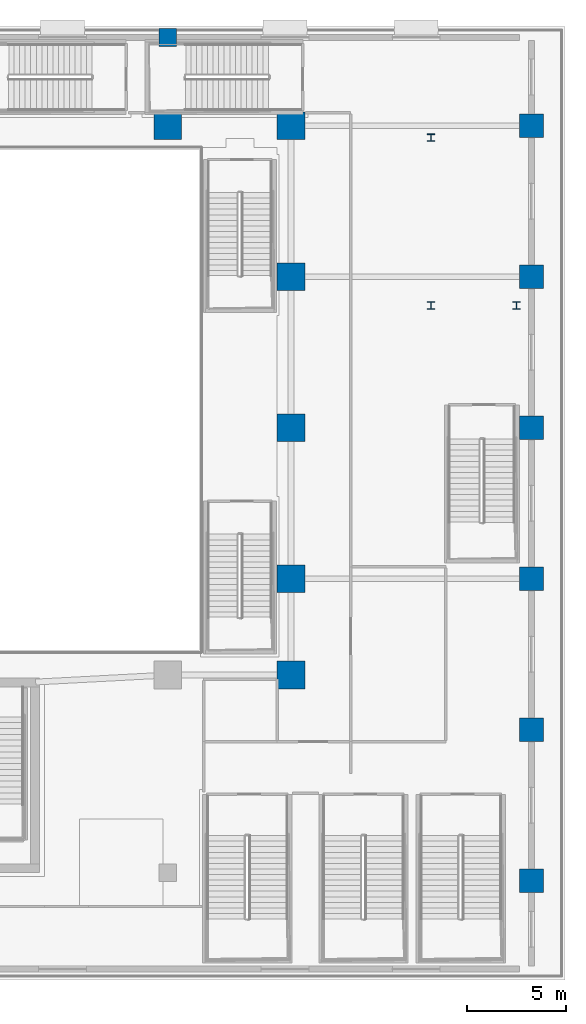
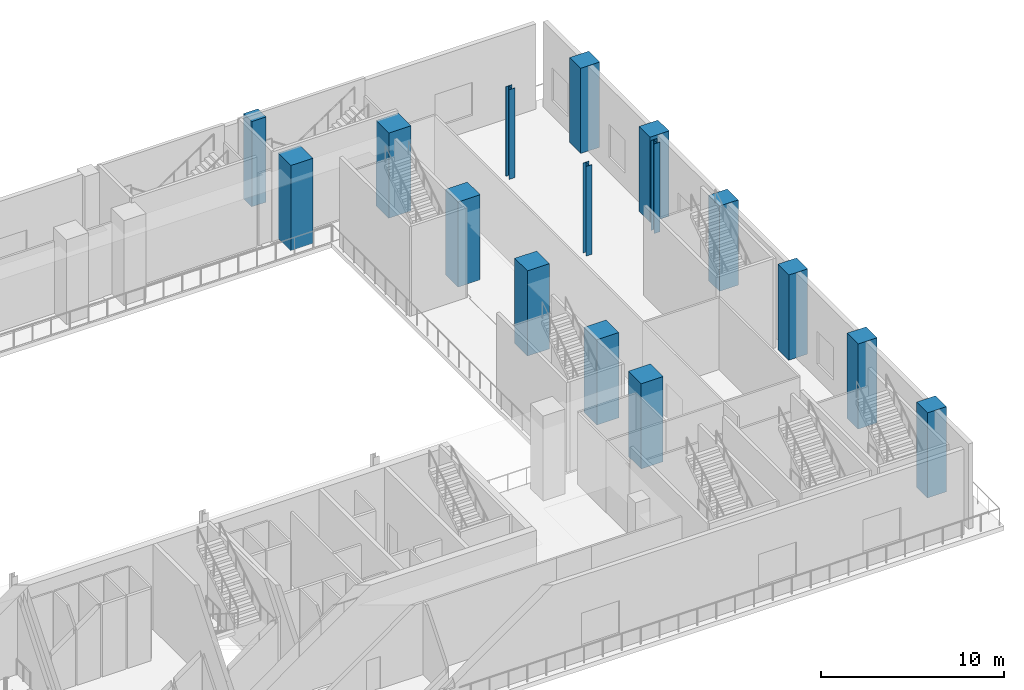
# One storey, part 4 of 29: 16 columns.
"""IFC4 building model written with IfcOpenShell, lengths in metres."""

import ifcopenshell
import ifcopenshell.guid

model = None  # the IFC model being written
_history = None  # IfcOwnerHistory: only IFC2X3 demands one
_inside = {}  # id of a spatial element -> (the spatial element, [elements in it])
_under = {}  # id of a project, library or spatial element -> (it, [spatial elements below it])
_declared = {}  # id of a project -> (the project, [libraries it declares])
_typed = {}  # id of a type object -> (the type object, [elements of that type])
_made_of = {}  # id of a material, layer set ... -> (it, [elements and type objects made of it])


def new_model(schema):
    """Start an empty IFC model of exactly this schema.

    Asked for "IFC4X3", IfcOpenShell would pick the latest addendum, in which some entities
    have other attributes; the version numbers below select the first issue.
    IFC2X3 requires an IfcOwnerHistory on every rooted entity: one is made here for all.
    """
    global model, _history
    if schema == "IFC4X3":
        model = ifcopenshell.file(schema_version=(4, 3, 0, 0))
    else:
        model = ifcopenshell.file(schema=schema)
    _inside.clear()
    _under.clear()
    _declared.clear()
    _typed.clear()
    _made_of.clear()
    _history = None
    if model.schema == "IFC2X3":
        org = make("IfcOrganization", Name="unknown")
        user = make(
            "IfcPersonAndOrganization",
            ThePerson=make("IfcPerson", FamilyName="unknown"),
            TheOrganization=org,
        )
        app = make(
            "IfcApplication",
            ApplicationDeveloper=org,
            Version="unknown",
            ApplicationFullName="unknown",
            ApplicationIdentifier="unknown",
        )
        _history = make(
            "IfcOwnerHistory",
            OwningUser=user,
            OwningApplication=app,
            ChangeAction="ADDED",
            CreationDate=0,
        )
    return model


def make(cls, **values):
    """One entity of the class cls with the attributes given. An attribute that is None is left unset."""
    return model.create_entity(
        cls, **{name: value for name, value in values.items() if value is not None}
    )


def rooted(cls, **values):
    """An entity with a GlobalId (a new one), such as an element, a storey or a relation."""
    return make(cls, GlobalId=ifcopenshell.guid.new(), OwnerHistory=_history, **values)


def si_unit(unit_type, name, prefix=None):
    """IfcSIUnit, for example si_unit("LENGTHUNIT", "METRE", prefix="MILLI")."""
    return make("IfcSIUnit", UnitType=unit_type, Prefix=prefix, Name=name)


def assignment(units):
    """IfcUnitAssignment: the units of a project."""
    return None if units is None else make("IfcUnitAssignment", Units=units)


def point(xyz):
    """IfcCartesianPoint."""
    return None if xyz is None else make("IfcCartesianPoint", Coordinates=xyz)


def direction(xyz):
    """IfcDirection."""
    return None if xyz is None else make("IfcDirection", DirectionRatios=xyz)


def frame(location, z_axis=None, x_axis=None):
    """IfcAxis2Placement3D, a coordinate frame: its origin and axes. An axis left out is left unset."""
    return make(
        "IfcAxis2Placement3D",
        Location=point(location),
        Axis=direction(z_axis),
        RefDirection=direction(x_axis),
    )


def frame_2d(location, x_axis=None):
    """IfcAxis2Placement2D, a coordinate frame in the plane: its origin and x axis."""
    return make(
        "IfcAxis2Placement2D", Location=point(location), RefDirection=direction(x_axis)
    )


def origin():
    """The frame at (0, 0, 0) with its axes left unset."""
    return frame((0.0, 0.0, 0.0))


def origin_2d():
    """The frame at (0, 0) in the plane with its x axis left unset."""
    return frame_2d((0.0, 0.0))


def place(relative_to, where):
    """IfcLocalPlacement: puts the frame where relative to a parent placement (None: the world)."""
    return make(
        "IfcLocalPlacement", PlacementRelTo=relative_to, RelativePlacement=where
    )


def context(
    kind, dimensions, precision=None, world=None, true_north=None, identifier=None
):
    """IfcGeometricRepresentationContext, for example the 3D "Model" context."""
    return make(
        "IfcGeometricRepresentationContext",
        ContextIdentifier=identifier,
        ContextType=kind,
        CoordinateSpaceDimension=dimensions,
        Precision=precision,
        WorldCoordinateSystem=world,
        TrueNorth=true_north,
    )


def subcontext(parent, identifier, kind, view, scale=None):
    """IfcGeometricRepresentationSubContext, for example "Body" below "Model"."""
    return make(
        "IfcGeometricRepresentationSubContext",
        ContextIdentifier=identifier,
        ContextType=kind,
        ParentContext=parent,
        TargetScale=scale,
        TargetView=view,
    )


def project(units=None, contexts=None):
    """IfcProject with its units and contexts."""
    return rooted(
        "IfcProject",
        Name="project",
        RepresentationContexts=contexts,
        UnitsInContext=assignment(units),
    )


def spatial(cls, under=None, at=None, **own):
    """A site, building, storey or space (cls), placed at a placement, below another one or the project."""
    s = rooted(cls, ObjectPlacement=at, **own)
    if under is not None:
        _under.setdefault(under.id(), (under, []))[1].append(s)
    return s


def profile(cls, at=None, kind="AREA", **sizes):
    """A parametric profile (cls). Its sizes go by their IFC names, for example OverallWidth=200.0."""
    return make(cls, ProfileType=kind, Position=at, **sizes)


def rectangle(**sizes):
    """IfcRectangleProfileDef."""
    return profile("IfcRectangleProfileDef", **sizes)


def i_section(**sizes):
    """IfcIShapeProfileDef."""
    return profile("IfcIShapeProfileDef", **sizes)


def extrude(swept, where, along, depth):
    """IfcExtrudedAreaSolid: the profile swept, set in the frame where, extruded along a direction by depth."""
    return make(
        "IfcExtrudedAreaSolid",
        SweptArea=swept,
        Position=where,
        ExtrudedDirection=direction(along),
        Depth=depth,
    )


def shape(context_of_items, identifier, shape_type, items):
    """IfcShapeRepresentation: the items that make up one representation, for example the "Body"."""
    return make(
        "IfcShapeRepresentation",
        ContextOfItems=context_of_items,
        RepresentationIdentifier=identifier,
        RepresentationType=shape_type,
        Items=items,
    )


def material(Name=None, Category=None):
    """IfcMaterial."""
    return make("IfcMaterial", Name=Name, Category=Category)


def material_profile(
    of_material, cross_section, Name=None, Category=None, Priority=None
):
    """IfcMaterialProfile: a cross section and its material."""
    return make(
        "IfcMaterialProfile",
        Name=Name,
        Material=of_material,
        Profile=cross_section,
        Priority=Priority,
        Category=Category,
    )


def profile_set(profiles, Name=None, composite=None):
    """IfcMaterialProfileSet."""
    return make(
        "IfcMaterialProfileSet",
        Name=Name,
        MaterialProfiles=profiles,
        CompositeProfile=composite,
    )


def made_of(thing, what):
    """Note that an element or type object is made of a material, layer set ...; save() writes the relation."""
    if what is not None:
        _made_of.setdefault(what.id(), (what, []))[1].append(thing)
    return thing


def type_object(cls, material=None, **own):
    """A type object (cls), such as IfcWallType, which elements share."""
    return made_of(rooted(cls, **own), material)


def element(
    cls,
    number,
    at=None,
    inside=None,
    cuts=None,
    type_object=None,
    material=None,
    context=None,
    identifier="Body",
    shape_type=None,
    held_by="IfcProductDefinitionShape",
    body=None,
    shapes=None,
    **own,
):
    """One element of the class cls, such as IfcWall. Its Tag is "e" and its number.

    at: its placement. inside: the storey or other place that contains it. cuts: it is an
    opening in that element (IfcRelVoidsElement). A single representation is given by context,
    identifier, shape_type and body (its items); several are given by shapes. held_by: the class
    of the entity that holds the representations. save() writes the other relations.
    """
    e = rooted(cls, Tag="e%d" % number, ObjectPlacement=at, **own)
    if body is not None:
        shapes = [shape(context, identifier, shape_type, body)]
    if shapes is not None:
        e.Representation = make(held_by, Representations=shapes)
    if inside is not None:
        _inside.setdefault(inside.id(), (inside, []))[1].append(e)
    if cuts is not None:
        rooted(
            "IfcRelVoidsElement", RelatingBuildingElement=cuts, RelatedOpeningElement=e
        )
    if type_object is not None:
        _typed.setdefault(type_object.id(), (type_object, []))[1].append(e)
    return made_of(e, material)


def aggregate(whole, parts):
    """IfcRelAggregates: a whole, such as a stair, and the parts it consists of."""
    return rooted("IfcRelAggregates", RelatingObject=whole, RelatedObjects=parts)


def save(model, path):
    """Write the relations noted so far, then the file.

    IfcRelAggregates (storeys below a building ...), IfcRelContainedInSpatialStructure (elements
    in a storey), IfcRelDefinesByType, IfcRelAssociatesMaterial and IfcRelDeclares: one each for
    every whole, place, type object, material and project.
    """
    for whole, parts in _under.values():
        aggregate(whole, parts)
    for where, things in _inside.values():
        rooted(
            "IfcRelContainedInSpatialStructure",
            RelatedElements=things,
            RelatingStructure=where,
        )
    for kind, things in _typed.values():
        rooted("IfcRelDefinesByType", RelatedObjects=things, RelatingType=kind)
    for what, things in _made_of.values():
        rooted("IfcRelAssociatesMaterial", RelatedObjects=things, RelatingMaterial=what)
    for by, libraries in _declared.values():
        rooted("IfcRelDeclares", RelatingContext=by, RelatedDefinitions=libraries)
    model.write(path)


model = new_model("IFC4")

# Units and contexts
model_context = context("Model", 3, precision=1e-05, world=origin(), true_north=direction((0.0, 1.0)))
body_context = subcontext(model_context, "Body", "Model", "MODEL_VIEW")
ifc_project = project(units=[si_unit("LENGTHUNIT", "METRE"), si_unit("AREAUNIT", "SQUARE_METRE"), si_unit("VOLUMEUNIT", "CUBIC_METRE"), si_unit("PLANEANGLEUNIT", "RADIAN"), si_unit("MASSUNIT", "GRAM", prefix="KILO")], contexts=[model_context])

# Site, building, storey
site_placement = place(None, origin())
site = spatial("IfcSite", under=ifc_project, at=site_placement, CompositionType="ELEMENT")
building_placement = place(site_placement, origin())
building = spatial("IfcBuilding", under=site, at=building_placement, Name="Ndaravel Arena Tower", CompositionType="ELEMENT")
storey_placement = place(building_placement, frame((0.0, 0.0, 12.0)))
storey = spatial("IfcBuildingStorey", under=building, at=storey_placement, Name="L02", CompositionType="ELEMENT", Elevation=12.0)

# Columns
ifc_material_1 = material(Name="Concrete C40/50", Category="concrete")
ifc_material_profile_1 = material_profile(ifc_material_1, rectangle(XDim=0.89990234375, YDim=0.89990234375, at=origin_2d()), Name="RC 900x900")
ifc_profile_set_1 = profile_set([ifc_material_profile_1], Name="Concrete C40/50")
column_type_1 = type_object("IfcColumnType", Name="COL-BSMT-RC900", PredefinedType="COLUMN", material=ifc_profile_set_1)
column_placement = place(storey_placement, frame((64.0, 47.449951171875, 0.0), z_axis=(0.0, 0.0, 1.0), x_axis=(1.0, 0.0, 0.0)))
element("IfcColumn", 1, at=column_placement, inside=storey, type_object=column_type_1, Name="L02 North Concourse Column 5", PredefinedType="COLUMN", context=body_context, shape_type="SweptSolid", body=[
    extrude(rectangle(XDim=0.89990234375, YDim=0.89990234375, at=origin_2d()), origin(), (0.0, 0.0, 1.0), 5.699951171875),
])
ifc_material_2 = material(Name="Steel S355", Category="steel")
ifc_material_profile_2 = material_profile(ifc_material_2, i_section(OverallWidth=0.374755859375, OverallDepth=0.37451171875, WebThickness=0.0166015625, FlangeThickness=0.027099609375, FilletRadius=0.01513671875, at=origin_2d()), Name="UC 356x368x202")
ifc_profile_set_2 = profile_set([ifc_material_profile_2], Name="Steel S355")
column_type_2 = type_object("IfcColumnType", Name="COL-CRN-UC202", PredefinedType="COLUMN", material=ifc_profile_set_2)
for number, where, z_axis, x_axis, name in (
    (2, (77.25, 33.949951171875, 0.0), (0.0, 0.0, 1.0), (1.0, 0.0, 0.0), "L02 Garden Stair ST-GDN-2 Pier 1.1"),
    (3, (77.25, 42.39990234375, 0.0), (0.0, 0.0, 1.0), (1.0, 0.0, 0.0), "L02 Garden Stair ST-GDN-2 Pier 1.2"),
    (4, (81.550048828125, 33.949951171875, 0.0), (0.0, 0.0, 1.0), (1.0, 0.0, 0.0), "L02 Garden Stair ST-GDN-2 Pier 2.1"),
):
    element("IfcColumn", number, at=place(storey_placement, frame(where, z_axis=z_axis, x_axis=x_axis)), inside=storey, type_object=column_type_2, Name=name, PredefinedType="COLUMN", context=body_context, shape_type="SweptSolid", body=[
        extrude(i_section(OverallWidth=0.374755859375, OverallDepth=0.37451171875, WebThickness=0.0166015625, FlangeThickness=0.027099609375, FilletRadius=0.01513671875, at=origin_2d()), origin(), (0.0, 0.0, 1.0), 6.0),
    ])
ifc_material_3 = material(Name="Concrete C60/75", Category="concrete")
ifc_material_profile_3 = material_profile(ifc_material_3, rectangle(XDim=1.199951171875, YDim=1.199951171875, at=origin_2d()), Name="RC 1200x1200")
ifc_profile_set_3 = profile_set([ifc_material_profile_3], Name="Concrete C60/75")
column_type_3 = type_object("IfcColumnType", Name="COL-MEGA-RC1200", PredefinedType="COLUMN", material=ifc_profile_set_3)
for number, where, z_axis, x_axis, name in (
    (5, (82.300048828125, 5.0, 0.0), (0.0, 0.0, 1.0), (1.0, 0.0, 0.0), "L02 Perimeter Mega Column 07"),
    (6, (82.300048828125, 12.60009765625, 0.0), (0.0, 0.0, 1.0), (1.0, 0.0, 0.0), "L02 Perimeter Mega Column 08"),
    (7, (82.300048828125, 20.199951171875, 0.0), (0.0, 0.0, 1.0), (1.0, 0.0, 0.0), "L02 Perimeter Mega Column 09"),
    (8, (82.300048828125, 27.800048828125, 0.0), (0.0, 0.0, 1.0), (1.0, 0.0, 0.0), "L02 Perimeter Mega Column 10"),
    (9, (82.300048828125, 35.39990234375, 0.0), (0.0, 0.0, 1.0), (1.0, 0.0, 0.0), "L02 Perimeter Mega Column 11"),
    (10, (82.300048828125, 43.0, 0.0), (0.0, 0.0, 1.0), (1.0, 0.0, 0.0), "L02 Perimeter Mega Column 12"),
):
    element("IfcColumn", number, at=place(storey_placement, frame(where, z_axis=z_axis, x_axis=x_axis)), inside=storey, type_object=column_type_3, Name=name, PredefinedType="COLUMN", context=body_context, shape_type="SweptSolid", body=[
        extrude(rectangle(XDim=1.199951171875, YDim=1.199951171875, at=origin_2d()), origin(), (0.0, 0.0, 1.0), 5.699951171875),
    ])
ifc_material_4 = material(Name="Concrete C60/75", Category="concrete")
ifc_material_profile_4 = material_profile(ifc_material_4, rectangle(XDim=1.39990234375, YDim=1.39990234375, at=origin_2d()), Name="RC 1400x1400")
ifc_profile_set_4 = profile_set([ifc_material_profile_4], Name="Concrete C60/75")
column_type_4 = type_object("IfcColumnType", Name="COL-MEGA-RC1400", PredefinedType="COLUMN", material=ifc_profile_set_4)
for number, where, z_axis, x_axis, name in (
    (11, (70.199951171875, 15.35009765625, 0.0), (0.0, 0.0, 1.0), (1.0, 0.0, 0.0), "L02 Arena Ring Mega Column 06"),
    (12, (70.199951171875, 20.199951171875, 0.0), (0.0, 0.0, 1.0), (1.0, 0.0, 0.0), "L02 Arena Ring Mega Column 07"),
    (13, (70.199951171875, 27.800048828125, 0.0), (0.0, 0.0, 1.0), (1.0, 0.0, 0.0), "L02 Arena Ring Mega Column 08"),
    (14, (70.199951171875, 35.39990234375, 0.0), (0.0, 0.0, 1.0), (1.0, 0.0, 0.0), "L02 Arena Ring Mega Column 09"),
    (15, (70.199951171875, 43.0, 0.0), (0.0, 0.0, 1.0), (1.0, 0.0, 0.0), "L02 Arena Ring Mega Column 10"),
    (16, (64.0, 43.0, 0.0), (0.0, 0.0, 1.0), (1.0, 0.0, 0.0), "L02 Arena Ring Mega Column 19"),
):
    element("IfcColumn", number, at=place(storey_placement, frame(where, z_axis=z_axis, x_axis=x_axis)), inside=storey, type_object=column_type_4, Name=name, PredefinedType="COLUMN", context=body_context, shape_type="SweptSolid", body=[
        extrude(rectangle(XDim=1.39990234375, YDim=1.39990234375, at=origin_2d()), origin(), (0.0, 0.0, 1.0), 5.699951171875),
    ])

save(model, "model.ifc")
